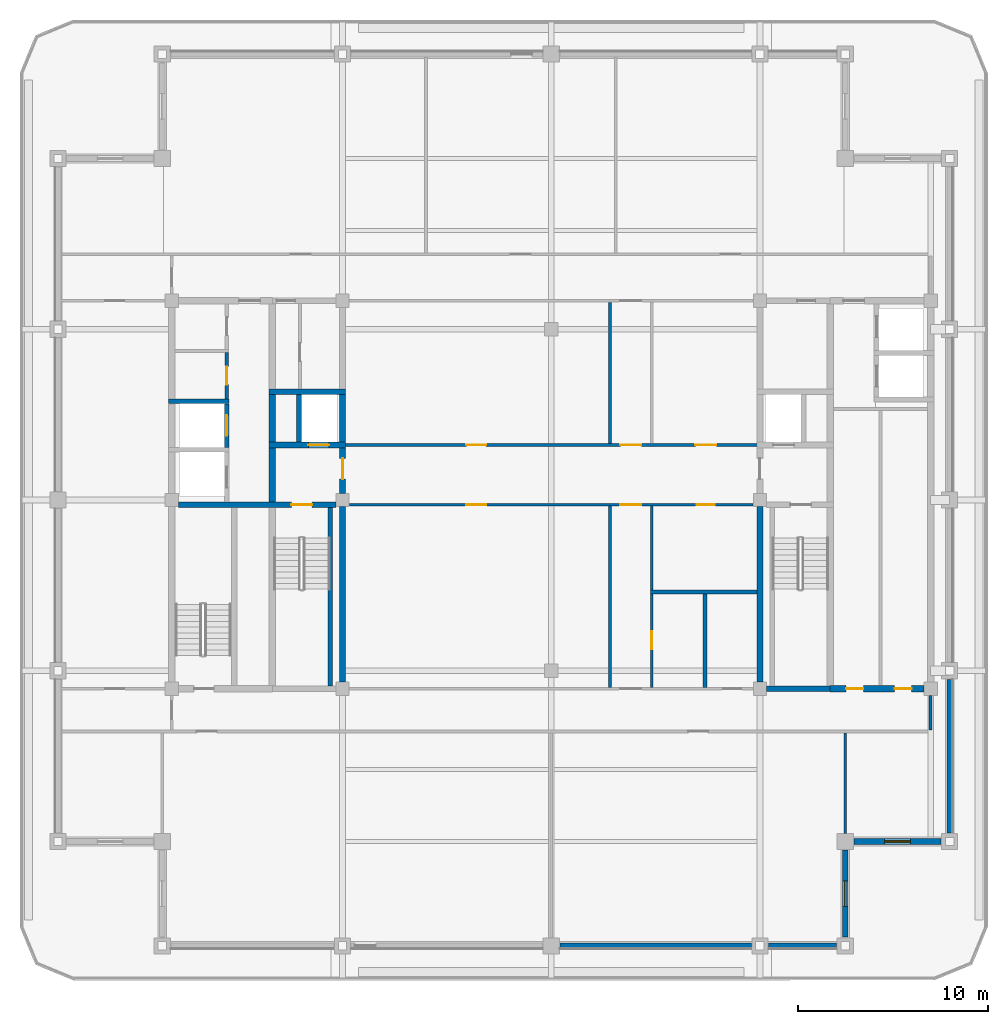
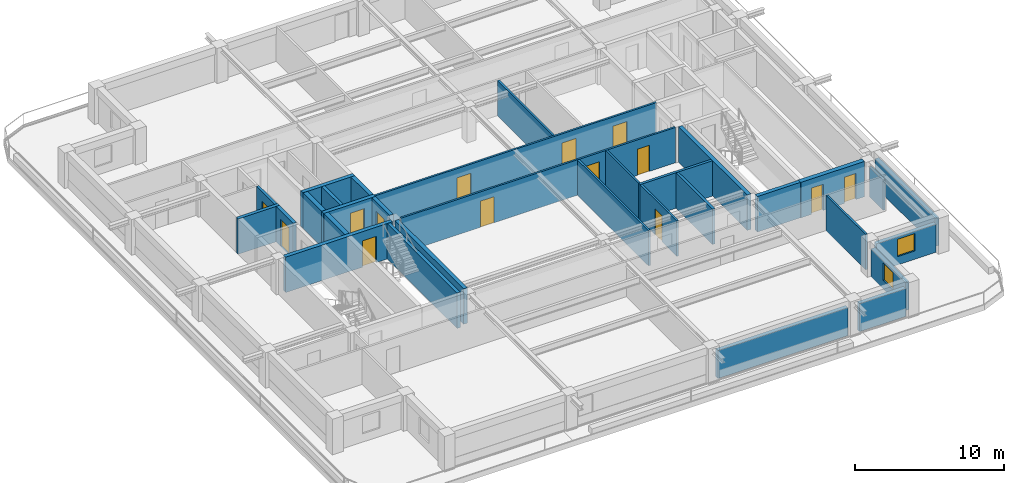
# One storey, part 3 of 10: 31 walls, 14 doors, 2 windows, 16 openings.
"""IFC4 building model written with IfcOpenShell, lengths in metres."""

from ifc_helpers import new_model, si_unit, direction, frame, frame_2d, origin, place, context, subcontext, project, spatial, rectangle, extrude, material, layer, layer_set, type_object, element, fill, save


model = new_model("IFC4")

# Units and contexts
model_context = context("Model", 3, precision=1e-05, world=origin(), true_north=direction((0.0, 1.0)))
body_context = subcontext(model_context, "Body", "Model", "MODEL_VIEW")
ifc_project = project(units=[si_unit("LENGTHUNIT", "METRE"), si_unit("AREAUNIT", "SQUARE_METRE"), si_unit("VOLUMEUNIT", "CUBIC_METRE"), si_unit("PLANEANGLEUNIT", "RADIAN"), si_unit("MASSUNIT", "GRAM", prefix="KILO")], contexts=[model_context])

# Site, building, storey
site_placement = place(None, origin())
site = spatial("IfcSite", under=ifc_project, at=site_placement, CompositionType="ELEMENT")
building_placement = place(site_placement, origin())
building = spatial("IfcBuilding", under=site, at=building_placement, Name="Zulmaris Gate Convention Tower", CompositionType="ELEMENT")
storey_placement = place(building_placement, frame((0.0, 0.0, 267.35009765625)))
storey = spatial("IfcBuildingStorey", under=building, at=storey_placement, Name="L71", CompositionType="ELEMENT", Elevation=267.35009765625)

# Wall
ifc_material_1 = material(Name="Concrete C50/60", Category="concrete")
ifc_layer_1 = layer(ifc_material_1, 0.25, Name="Concrete C50/60")
ifc_layer_set_1 = layer_set([ifc_layer_1], Name="Concrete C50/60")
wall_type_1 = type_object("IfcWallType", Name="CORE-250", PredefinedType="SOLIDWALL", material=ifc_layer_set_1)
wall_1_placement = place(storey_placement, frame((-20.175048828125, 5.199951171875, 0.0), z_axis=(0.0, 0.0, 1.0), x_axis=(1.0, 0.0, 0.0)))
element("IfcWall", 1, at=wall_1_placement, inside=storey, type_object=wall_type_1, Name="WL-L71-010", PredefinedType="SOLIDWALL", context=body_context, shape_type="SweptSolid", body=[
    extrude(rectangle(XDim=3.199951171875, YDim=0.25, at=frame_2d((1.60009765625, 0.0))), origin(), (0.0, 0.0, 1.0), 2.905029296875),
])

# Wall, opening, door
wall_2_placement = place(storey_placement, frame((-17.10009765625, 2.777099609375, 0.0), z_axis=(0.0, 0.0, 1.0), x_axis=(0.0, 1.0, 0.0)))
wall_2 = element("IfcWall", 2, at=wall_2_placement, inside=storey, type_object=wall_type_1, Name="WL-L71-035", PredefinedType="SOLIDWALL", context=body_context, shape_type="SweptSolid", body=[
    extrude(rectangle(XDim=2.2958984375, YDim=0.25, at=frame_2d((1.14794921875, 0.0))), origin(), (0.0, 0.0, 1.0), 2.905029296875),
])
opening_1_placement = place(wall_2_placement, frame((0.597900390625, 0.0, 0.0)))
opening_1 = element("IfcOpeningElement", 3, at=opening_1_placement, cuts=wall_2, Name="Opening D-06", PredefinedType="OPENING", context=body_context, shape_type="SweptSolid", body=[
    extrude(rectangle(XDim=1.10009765625, YDim=2.199951171875, at=frame_2d((0.550048828125, 1.10009765625))), frame((0.0, 0.135009765625, 0.0), z_axis=(0.0, -1.0, 0.0), x_axis=(1.0, 0.0, 0.0)), (0.0, 0.0, 1.0), 0.27001953125),
])
ifc_material_2 = material(Name="Brushed Stainless Steel", Category="steel")
door_type_1 = type_object("IfcDoorType", Name="LD-1100", OperationType="NOTDEFINED", PredefinedType="DOOR", material=ifc_material_2)
door_1_placement = place(opening_1_placement, origin())
door_1 = element("IfcDoor", 4, at=door_1_placement, inside=storey, type_object=door_type_1, Name="L71 Lift Landing Door HP-04 12", OperationType="SLIDING_TO_LEFT", OverallHeight=2.199951171875, OverallWidth=1.10009765625, PredefinedType="DOOR", context=body_context, shape_type="SweptSolid", body=[
    extrude(rectangle(XDim=1.10009765625, YDim=2.199951171875, at=frame_2d((0.550048828125, 1.10009765625))), frame((0.0, 0.02490234375, 0.0), z_axis=(0.0, -1.0, 0.0), x_axis=(1.0, 0.0, 0.0)), (0.0, 0.0, 1.0), 0.050048828125),
])
fill(opening_1, door_1)

# Walls
wall_3_placement = place(storey_placement, frame((-13.300048828125, 3.052001953125, 0.0), z_axis=(0.0, 0.0, 1.0), x_axis=(0.0, 1.0, 0.0)))
element("IfcWall", 5, at=wall_3_placement, inside=storey, type_object=wall_type_1, Name="WL-L71-041", PredefinedType="SOLIDWALL", context=body_context, shape_type="SweptSolid", body=[
    extrude(rectangle(XDim=2.49609375, YDim=0.25, at=frame_2d((1.248046875, 0.0))), origin(), (0.0, 0.0, 1.0), 2.905029296875),
])
wall_4_placement = place(storey_placement, frame((-11.64990234375, -9.798095703125, 0.0), z_axis=(0.0, 0.0, 1.0), x_axis=(0.0, 1.0, 0.0)))
element("IfcWall", 6, at=wall_4_placement, inside=storey, type_object=wall_type_1, Name="WL-L71-042", PredefinedType="SOLIDWALL", context=body_context, shape_type="SweptSolid", body=[
    extrude(rectangle(XDim=9.39599609375, YDim=0.25, at=frame_2d((4.697998046875, 0.0))), origin(), (0.0, 0.0, 1.0), 2.905029296875),
])
ifc_layer_2 = layer(ifc_material_1, 0.300048828125, Name="Concrete C50/60")
ifc_layer_set_2 = layer_set([ifc_layer_2], Name="Concrete C50/60")
wall_type_2 = type_object("IfcWallType", Name="CORE-300", PredefinedType="SHEAR", material=ifc_layer_set_2)
wall_5_placement = place(storey_placement, frame((11.35400390625, -9.949951171875, 0.0), z_axis=(0.0, 0.0, 1.0), x_axis=(1.0, 0.0, 0.0)))
element("IfcWall", 7, at=wall_5_placement, inside=storey, type_object=wall_type_2, Name="WL-L71-003", PredefinedType="SHEAR", context=body_context, shape_type="SweptSolid", body=[
    extrude(rectangle(XDim=3.345947265625, YDim=0.300048828125, at=frame_2d((1.6728515625, 0.0))), origin(), (0.0, 0.0, 1.0), 2.905029296875),
])

# Wall, opening, door
wall_6_placement = place(storey_placement, frame((-19.64599609375, -0.25, 0.0), z_axis=(0.0, 0.0, 1.0), x_axis=(1.0, 0.0, 0.0)))
wall_6 = element("IfcWall", 8, at=wall_6_placement, inside=storey, type_object=wall_type_2, Name="WL-L71-005", PredefinedType="SHEAR", context=body_context, shape_type="SweptSolid", body=[
    extrude(rectangle(XDim=8.2919921875, YDim=0.300048828125, at=frame_2d((4.14599609375, 0.0))), origin(), (0.0, 0.0, 1.0), 2.905029296875),
])
opening_2_placement = place(wall_6_placement, frame((5.946044921875, 0.0, 0.0)))
opening_2 = element("IfcOpeningElement", 9, at=opening_2_placement, cuts=wall_6, Name="Opening D-08", PredefinedType="OPENING", context=body_context, shape_type="SweptSolid", body=[
    extrude(rectangle(XDim=1.10009765625, YDim=2.14990234375, at=frame_2d((0.550048828125, 1.074951171875))), frame((0.0, 0.16015625, 0.0), z_axis=(0.0, -1.0, 0.0), x_axis=(1.0, 0.0, 0.0)), (0.0, 0.0, 1.0), 0.320068359375),
])
ifc_material_3 = material(Name="Fire-Rated Steel", Category="steel")
door_type_2 = type_object("IfcDoorType", Name="DR-1100-FD", OperationType="NOTDEFINED", PredefinedType="DOOR", material=ifc_material_3)
door_2_placement = place(opening_2_placement, origin())
door_2 = element("IfcDoor", 10, at=door_2_placement, inside=storey, type_object=door_type_2, Name="L71 Exit Stair ST-1 Door 01", OperationType="SINGLE_SWING_RIGHT", OverallHeight=2.14990234375, OverallWidth=1.10009765625, PredefinedType="DOOR", context=body_context, shape_type="SweptSolid", body=[
    extrude(rectangle(XDim=1.10009765625, YDim=2.14990234375, at=frame_2d((0.550048828125, 1.074951171875))), frame((0.0, 0.02490234375, 0.0), z_axis=(0.0, -1.0, 0.0), x_axis=(1.0, 0.0, 0.0)), (0.0, 0.0, 1.0), 0.050048828125),
])
fill(opening_2, door_2)

wall_7_placement = place(storey_placement, frame((-14.875, 2.89990234375, 0.0), z_axis=(0.0, 0.0, 1.0), x_axis=(1.0, 0.0, 0.0)))
wall_7 = element("IfcWall", 11, at=wall_7_placement, inside=storey, type_object=wall_type_2, Name="WL-L71-008", PredefinedType="SHEAR", context=body_context, shape_type="SweptSolid", body=[
    extrude(rectangle(XDim=4.02490234375, YDim=0.300048828125, at=frame_2d((2.012451171875, 0.0))), origin(), (0.0, 0.0, 1.0), 2.905029296875),
])
opening_3_placement = place(wall_7_placement, frame((2.074951171875, 0.0, 0.0)))
opening_3 = element("IfcOpeningElement", 12, at=opening_3_placement, cuts=wall_7, Name="Opening D-06", PredefinedType="OPENING", context=body_context, shape_type="SweptSolid", body=[
    extrude(rectangle(XDim=1.10009765625, YDim=2.199951171875, at=frame_2d((0.550048828125, 1.10009765625))), frame((0.0, 0.16015625, 0.0), z_axis=(0.0, -1.0, 0.0), x_axis=(1.0, 0.0, 0.0)), (0.0, 0.0, 1.0), 0.320068359375),
])
door_3_placement = place(opening_3_placement, origin())
door_3 = element("IfcDoor", 13, at=door_3_placement, inside=storey, type_object=door_type_1, Name="L71 Lift Landing Door LF-01 03", OperationType="SLIDING_TO_LEFT", OverallHeight=2.199951171875, OverallWidth=1.10009765625, PredefinedType="DOOR", context=body_context, shape_type="SweptSolid", body=[
    extrude(rectangle(XDim=1.10009765625, YDim=2.199951171875, at=frame_2d((0.550048828125, 1.10009765625))), frame((0.0, 0.02490234375, 0.0), z_axis=(0.0, -1.0, 0.0), x_axis=(1.0, 0.0, 0.0)), (0.0, 0.0, 1.0), 0.050048828125),
])
fill(opening_3, door_3)

# Walls
wall_8_placement = place(storey_placement, frame((-14.875, 5.699951171875, 0.0), z_axis=(0.0, 0.0, 1.0), x_axis=(1.0, 0.0, 0.0)))
element("IfcWall", 14, at=wall_8_placement, inside=storey, type_object=wall_type_2, Name="WL-L71-012", PredefinedType="SHEAR", context=body_context, shape_type="SweptSolid", body=[
    extrude(rectangle(XDim=4.02490234375, YDim=0.300048828125, at=frame_2d((2.012451171875, 0.0))), origin(), (0.0, 0.0, 1.0), 2.905029296875),
])
wall_9_placement = place(storey_placement, frame((-11.0, -9.595947265625, 0.0), z_axis=(0.0, 0.0, 1.0), x_axis=(0.0, 1.0, 0.0)))
element("IfcWall", 15, at=wall_9_placement, inside=storey, type_object=wall_type_2, Name="WL-L71-043", PredefinedType="SHEAR", context=body_context, shape_type="SweptSolid", body=[
    extrude(rectangle(XDim=9.241943359375, YDim=0.300048828125, at=frame_2d((4.62109375, 0.0))), origin(), (0.0, 0.0, 1.0), 2.905029296875),
])

# Wall, opening, door
wall_10_placement = place(storey_placement, frame((-11.0, 0.35400390625, 0.0), z_axis=(0.0, 0.0, 1.0), x_axis=(0.0, 1.0, 0.0)))
wall_10 = element("IfcWall", 16, at=wall_10_placement, inside=storey, type_object=wall_type_2, Name="WL-L71-044", PredefinedType="SHEAR", context=body_context, shape_type="SweptSolid", body=[
    extrude(rectangle(XDim=2.39404296875, YDim=0.300048828125, at=frame_2d((1.197021484375, 0.0))), origin(), (0.0, 0.0, 1.0), 2.905029296875),
])
opening_4_placement = place(wall_10_placement, frame((0.74609375, 0.0, 0.0)))
opening_4 = element("IfcOpeningElement", 17, at=opening_4_placement, cuts=wall_10, Name="Opening D-08", PredefinedType="OPENING", context=body_context, shape_type="SweptSolid", body=[
    extrude(rectangle(XDim=1.10009765625, YDim=2.14990234375, at=frame_2d((0.550048828125, 1.074951171875))), frame((0.0, 0.16015625, 0.0), z_axis=(0.0, -1.0, 0.0), x_axis=(1.0, 0.0, 0.0)), (0.0, 0.0, 1.0), 0.320068359375),
])
door_4_placement = place(opening_4_placement, origin())
door_4 = element("IfcDoor", 18, at=door_4_placement, inside=storey, type_object=door_type_2, Name="L71 West Firefighting Lobby Door 02", OperationType="SINGLE_SWING_LEFT", OverallHeight=2.14990234375, OverallWidth=1.10009765625, PredefinedType="DOOR", context=body_context, shape_type="SweptSolid", body=[
    extrude(rectangle(XDim=1.10009765625, YDim=2.14990234375, at=frame_2d((0.550048828125, 1.074951171875))), frame((0.0, 0.02490234375, 0.0), z_axis=(0.0, -1.0, 0.0), x_axis=(1.0, 0.0, 0.0)), (0.0, 0.0, 1.0), 0.050048828125),
])
fill(opening_4, door_4)

# Walls
wall_11_placement = place(storey_placement, frame((-11.0, 3.052001953125, 0.0), z_axis=(0.0, 0.0, 1.0), x_axis=(0.0, 1.0, 0.0)))
element("IfcWall", 19, at=wall_11_placement, inside=storey, type_object=wall_type_2, Name="WL-L71-045", PredefinedType="SHEAR", context=body_context, shape_type="SweptSolid", body=[
    extrude(rectangle(XDim=2.49609375, YDim=0.300048828125, at=frame_2d((1.248046875, 0.0))), origin(), (0.0, 0.0, 1.0), 2.905029296875),
])
wall_12_placement = place(storey_placement, frame((11.0, -9.595947265625, 0.0), z_axis=(0.0, 0.0, 1.0), x_axis=(0.0, 1.0, 0.0)))
element("IfcWall", 20, at=wall_12_placement, inside=storey, type_object=wall_type_2, Name="WL-L71-047", PredefinedType="SHEAR", context=body_context, shape_type="SweptSolid", body=[
    extrude(rectangle(XDim=9.241943359375, YDim=0.300048828125, at=frame_2d((4.62109375, 0.0))), origin(), (0.0, 0.0, 1.0), 2.905029296875),
])

# Wall, openings, doors
ifc_material_4 = material(Name="Concrete C55/67", Category="concrete")
ifc_layer_3 = layer(ifc_material_4, 0.35009765625, Name="Concrete C55/67")
ifc_layer_set_3 = layer_set([ifc_layer_3], Name="Concrete C55/67")
wall_type_3 = type_object("IfcWallType", Name="CORE-350", PredefinedType="SHEAR", material=ifc_layer_set_3)
wall_13_placement = place(storey_placement, frame((14.699951171875, -9.949951171875, 0.0), z_axis=(0.0, 0.0, 1.0), x_axis=(1.0, 0.0, 0.0)))
wall_13 = element("IfcWall", 21, at=wall_13_placement, inside=storey, type_object=wall_type_3, Name="WL-L71-004", PredefinedType="SHEAR", context=body_context, shape_type="SweptSolid", body=[
    extrude(rectangle(XDim=4.946044921875, YDim=0.35009765625, at=frame_2d((2.47314453125, 0.0))), origin(), (0.0, 0.0, 1.0), 2.905029296875),
])
opening_5_placement = place(wall_13_placement, frame((0.85009765625, 0.0, 0.0)))
opening_5 = element("IfcOpeningElement", 22, at=opening_5_placement, cuts=wall_13, Name="Opening D-12", PredefinedType="OPENING", context=body_context, shape_type="SweptSolid", body=[
    extrude(rectangle(XDim=0.89990234375, YDim=2.14990234375, at=frame_2d((0.449951171875, 1.074951171875))), frame((0.0, 0.18505859375, 0.0), z_axis=(0.0, -1.0, 0.0), x_axis=(1.0, 0.0, 0.0)), (0.0, 0.0, 1.0), 0.3701171875),
])
opening_6_placement = place(wall_13_placement, frame((3.39990234375, 0.0, 0.0)))
opening_6 = element("IfcOpeningElement", 23, at=opening_6_placement, cuts=wall_13, Name="Opening D-12", PredefinedType="OPENING", context=body_context, shape_type="SweptSolid", body=[
    extrude(rectangle(XDim=0.89990234375, YDim=2.14990234375, at=frame_2d((0.449951171875, 1.074951171875))), frame((0.0, 0.18505859375, 0.0), z_axis=(0.0, -1.0, 0.0), x_axis=(1.0, 0.0, 0.0)), (0.0, 0.0, 1.0), 0.3701171875),
])
ifc_material_5 = material(Name="Fire-Rated Timber", Category="wood")
door_type_3 = type_object("IfcDoorType", Name="DR-900-FD", OperationType="NOTDEFINED", PredefinedType="DOOR", material=ifc_material_5)
door_5_placement = place(opening_5_placement, origin())
door_5 = element("IfcDoor", 24, at=door_5_placement, inside=storey, type_object=door_type_3, Name="L71 Service Pantry Door 19", OperationType="SINGLE_SWING_RIGHT", OverallHeight=2.14990234375, OverallWidth=0.89990234375, PredefinedType="DOOR", context=body_context, shape_type="SweptSolid", body=[
    extrude(rectangle(XDim=0.89990234375, YDim=2.14990234375, at=frame_2d((0.449951171875, 1.074951171875))), frame((0.0, 0.02490234375, 0.0), z_axis=(0.0, -1.0, 0.0), x_axis=(1.0, 0.0, 0.0)), (0.0, 0.0, 1.0), 0.050048828125),
])
fill(opening_5, door_5)
door_6_placement = place(opening_6_placement, origin())
door_6 = element("IfcDoor", 25, at=door_6_placement, inside=storey, type_object=door_type_3, Name="L71 Linen Store Door 20", OperationType="SINGLE_SWING_LEFT", OverallHeight=2.14990234375, OverallWidth=0.89990234375, PredefinedType="DOOR", context=body_context, shape_type="SweptSolid", body=[
    extrude(rectangle(XDim=0.89990234375, YDim=2.14990234375, at=frame_2d((0.449951171875, 1.074951171875))), frame((0.0, 0.02490234375, 0.0), z_axis=(0.0, -1.0, 0.0), x_axis=(1.0, 0.0, 0.0)), (0.0, 0.0, 1.0), 0.050048828125),
])
fill(opening_6, door_6)

# Walls
wall_14_placement = place(storey_placement, frame((-14.699951171875, -0.097900390625, 0.0), z_axis=(0.0, 0.0, 1.0), x_axis=(0.0, 1.0, 0.0)))
element("IfcWall", 26, at=wall_14_placement, inside=storey, type_object=wall_type_3, Name="WL-L71-038", PredefinedType="SHEAR", context=body_context, shape_type="SweptSolid", body=[
    extrude(rectangle(XDim=2.845947265625, YDim=0.35009765625, at=frame_2d((1.4228515625, 0.0))), origin(), (0.0, 0.0, 1.0), 2.905029296875),
])
wall_15_placement = place(storey_placement, frame((-14.699951171875, 3.052001953125, 0.0), z_axis=(0.0, 0.0, 1.0), x_axis=(0.0, 1.0, 0.0)))
element("IfcWall", 27, at=wall_15_placement, inside=storey, type_object=wall_type_3, Name="WL-L71-039", PredefinedType="SHEAR", context=body_context, shape_type="SweptSolid", body=[
    extrude(rectangle(XDim=2.49609375, YDim=0.35009765625, at=frame_2d((1.248046875, 0.0))), origin(), (0.0, 0.0, 1.0), 2.905029296875),
])

# Wall, openings, doors
ifc_material_6 = material(Name="Gypsum Metal Stud Partition")
ifc_layer_4 = layer(ifc_material_6, 0.14990234375, Name="Gypsum Metal Stud Partition")
ifc_layer_set_4 = layer_set([ifc_layer_4], Name="Gypsum Metal Stud Partition")
wall_type_4 = type_object("IfcWallType", Name="PART-150", PredefinedType="PARTITIONING", material=ifc_layer_set_4)
wall_16_placement = place(storey_placement, frame((-10.64404296875, -0.25, 0.0), z_axis=(0.0, 0.0, 1.0), x_axis=(1.0, 0.0, 0.0)))
wall_16 = element("IfcWall", 28, at=wall_16_placement, inside=storey, type_object=wall_type_4, Name="WL-L71-023", PredefinedType="PARTITIONING", context=body_context, shape_type="SweptSolid", body=[
    extrude(rectangle(XDim=21.2880859375, YDim=0.14990234375, at=frame_2d((10.64404296875, 0.0))), origin(), (0.0, 0.0, 1.0), 2.905029296875),
])
opening_7_placement = place(wall_16_placement, frame((14.2939453125, 0.0, 0.0)))
opening_7 = element("IfcOpeningElement", 29, at=opening_7_placement, cuts=wall_16, Name="Opening D-08", PredefinedType="OPENING", context=body_context, shape_type="SweptSolid", body=[
    extrude(rectangle(XDim=1.10009765625, YDim=2.14990234375, at=frame_2d((0.550048828125, 1.074951171875))), frame((0.0, 0.0849609375, 0.0), z_axis=(0.0, -1.0, 0.0), x_axis=(1.0, 0.0, 0.0)), (0.0, 0.0, 1.0), 0.169921875),
])
opening_8_placement = place(wall_16_placement, frame((6.1689453125, 0.0, 0.0)))
opening_8 = element("IfcOpeningElement", 30, at=opening_8_placement, cuts=wall_16, Name="Opening D-09", PredefinedType="OPENING", context=body_context, shape_type="SweptSolid", body=[
    extrude(rectangle(XDim=1.050048828125, YDim=2.14990234375, at=frame_2d((0.52490234375, 1.074951171875))), frame((0.0, 0.0849609375, 0.0), z_axis=(0.0, -1.0, 0.0), x_axis=(1.0, 0.0, 0.0)), (0.0, 0.0, 1.0), 0.169921875),
])
opening_9_placement = place(wall_16_placement, frame((18.319091796875, 0.0, 0.0)))
opening_9 = element("IfcOpeningElement", 31, at=opening_9_placement, cuts=wall_16, Name="Opening D-11", PredefinedType="OPENING", context=body_context, shape_type="SweptSolid", body=[
    extrude(rectangle(XDim=0.949951171875, YDim=2.14990234375, at=frame_2d((0.47509765625, 1.074951171875))), frame((0.0, 0.0849609375, 0.0), z_axis=(0.0, -1.0, 0.0), x_axis=(1.0, 0.0, 0.0)), (0.0, 0.0, 1.0), 0.169921875),
])
door_type_4 = type_object("IfcDoorType", Name="DR-1050-FD", OperationType="NOTDEFINED", PredefinedType="DOOR", material=ifc_material_3)
door_7_placement = place(opening_8_placement, origin())
door_7 = element("IfcDoor", 32, at=door_7_placement, inside=storey, type_object=door_type_4, Name="L71 Sky Library Door 32", OperationType="SINGLE_SWING_LEFT", OverallHeight=2.14990234375, OverallWidth=1.050048828125, PredefinedType="DOOR", context=body_context, shape_type="SweptSolid", body=[
    extrude(rectangle(XDim=1.050048828125, YDim=2.14990234375, at=frame_2d((0.52490234375, 1.074951171875))), frame((0.0, 0.02490234375, 0.0), z_axis=(0.0, -1.0, 0.0), x_axis=(1.0, 0.0, 0.0)), (0.0, 0.0, 1.0), 0.050048828125),
])
fill(opening_8, door_7)
door_8_placement = place(opening_7_placement, origin())
door_8 = element("IfcDoor", 33, at=door_8_placement, inside=storey, type_object=door_type_2, Name="L71 Exec Cross South Door 24", OperationType="SINGLE_SWING_LEFT", OverallHeight=2.14990234375, OverallWidth=1.10009765625, PredefinedType="DOOR", context=body_context, shape_type="SweptSolid", body=[
    extrude(rectangle(XDim=1.10009765625, YDim=2.14990234375, at=frame_2d((0.550048828125, 1.074951171875))), frame((0.0, 0.02490234375, 0.0), z_axis=(0.0, -1.0, 0.0), x_axis=(1.0, 0.0, 0.0)), (0.0, 0.0, 1.0), 0.050048828125),
])
fill(opening_7, door_8)
door_type_5 = type_object("IfcDoorType", Name="DR-950-FD", OperationType="NOTDEFINED", PredefinedType="DOOR", material=ifc_material_5)
door_9_placement = place(opening_9_placement, origin())
door_9 = element("IfcDoor", 34, at=door_9_placement, inside=storey, type_object=door_type_5, Name="L71 Public WC Door 33", OperationType="SINGLE_SWING_RIGHT", OverallHeight=2.14990234375, OverallWidth=0.949951171875, PredefinedType="DOOR", context=body_context, shape_type="SweptSolid", body=[
    extrude(rectangle(XDim=0.949951171875, YDim=2.14990234375, at=frame_2d((0.47509765625, 1.074951171875))), frame((0.0, 0.02490234375, 0.0), z_axis=(0.0, -1.0, 0.0), x_axis=(1.0, 0.0, 0.0)), (0.0, 0.0, 1.0), 0.050048828125),
])
fill(opening_9, door_9)

wall_17_placement = place(storey_placement, frame((-11.0, 2.89990234375, 0.0), z_axis=(0.0, 0.0, 1.0), x_axis=(1.0, 0.0, 0.0)))
wall_17 = element("IfcWall", 35, at=wall_17_placement, inside=storey, type_object=wall_type_4, Name="WL-L71-024", PredefinedType="PARTITIONING", context=body_context, shape_type="SweptSolid", body=[
    extrude(rectangle(XDim=22.0, YDim=0.14990234375, at=frame_2d((11.0, 0.0))), origin(), (0.0, 0.0, 1.0), 2.905029296875),
])
opening_10_placement = place(wall_17_placement, frame((14.64990234375, 0.0, 0.0)))
opening_10 = element("IfcOpeningElement", 36, at=opening_10_placement, cuts=wall_17, Name="Opening D-08", PredefinedType="OPENING", context=body_context, shape_type="SweptSolid", body=[
    extrude(rectangle(XDim=1.10009765625, YDim=2.14990234375, at=frame_2d((0.550048828125, 1.074951171875))), frame((0.0, 0.0849609375, 0.0), z_axis=(0.0, -1.0, 0.0), x_axis=(1.0, 0.0, 0.0)), (0.0, 0.0, 1.0), 0.169921875),
])
opening_11_placement = place(wall_17_placement, frame((6.52490234375, 0.0, 0.0)))
opening_11 = element("IfcOpeningElement", 37, at=opening_11_placement, cuts=wall_17, Name="Opening D-09", PredefinedType="OPENING", context=body_context, shape_type="SweptSolid", body=[
    extrude(rectangle(XDim=1.050048828125, YDim=2.14990234375, at=frame_2d((0.52490234375, 1.074951171875))), frame((0.0, 0.0849609375, 0.0), z_axis=(0.0, -1.0, 0.0), x_axis=(1.0, 0.0, 0.0)), (0.0, 0.0, 1.0), 0.169921875),
])
opening_12_placement = place(wall_17_placement, frame((18.60009765625, 0.0, 0.0)))
opening_12 = element("IfcOpeningElement", 38, at=opening_12_placement, cuts=wall_17, Name="Opening D-08", PredefinedType="OPENING", context=body_context, shape_type="SweptSolid", body=[
    extrude(rectangle(XDim=1.10009765625, YDim=2.14990234375, at=frame_2d((0.550048828125, 1.074951171875))), frame((0.0, 0.0849609375, 0.0), z_axis=(0.0, -1.0, 0.0), x_axis=(1.0, 0.0, 0.0)), (0.0, 0.0, 1.0), 0.169921875),
])
door_10_placement = place(opening_11_placement, origin())
door_10 = element("IfcDoor", 39, at=door_10_placement, inside=storey, type_object=door_type_4, Name="L71 Reception Door 30", OperationType="SINGLE_SWING_LEFT", OverallHeight=2.14990234375, OverallWidth=1.050048828125, PredefinedType="DOOR", context=body_context, shape_type="SweptSolid", body=[
    extrude(rectangle(XDim=1.050048828125, YDim=2.14990234375, at=frame_2d((0.52490234375, 1.074951171875))), frame((0.0, 0.02490234375, 0.0), z_axis=(0.0, -1.0, 0.0), x_axis=(1.0, 0.0, 0.0)), (0.0, 0.0, 1.0), 0.050048828125),
])
fill(opening_11, door_10)
door_11_placement = place(opening_10_placement, origin())
door_11 = element("IfcDoor", 40, at=door_11_placement, inside=storey, type_object=door_type_2, Name="L71 Exec Cross North Door 23", OperationType="SINGLE_SWING_RIGHT", OverallHeight=2.14990234375, OverallWidth=1.10009765625, PredefinedType="DOOR", context=body_context, shape_type="SweptSolid", body=[
    extrude(rectangle(XDim=1.10009765625, YDim=2.14990234375, at=frame_2d((0.550048828125, 1.074951171875))), frame((0.0, 0.02490234375, 0.0), z_axis=(0.0, -1.0, 0.0), x_axis=(1.0, 0.0, 0.0)), (0.0, 0.0, 1.0), 0.050048828125),
])
fill(opening_10, door_11)
door_12_placement = place(opening_12_placement, origin())
door_12 = element("IfcDoor", 41, at=door_12_placement, inside=storey, type_object=door_type_2, Name="L71 Townhall Forum Door 31", OperationType="SINGLE_SWING_RIGHT", OverallHeight=2.14990234375, OverallWidth=1.10009765625, PredefinedType="DOOR", context=body_context, shape_type="SweptSolid", body=[
    extrude(rectangle(XDim=1.10009765625, YDim=2.14990234375, at=frame_2d((0.550048828125, 1.074951171875))), frame((0.0, 0.02490234375, 0.0), z_axis=(0.0, -1.0, 0.0), x_axis=(1.0, 0.0, 0.0)), (0.0, 0.0, 1.0), 0.050048828125),
])
fill(opening_12, door_12)

# Walls
wall_18_placement = place(storey_placement, frame((3.10009765625, -9.8720703125, 0.0), z_axis=(0.0, 0.0, 1.0), x_axis=(0.0, 1.0, 0.0)))
element("IfcWall", 42, at=wall_18_placement, inside=storey, type_object=wall_type_4, Name="WL-L71-070", PredefinedType="PARTITIONING", context=body_context, shape_type="SweptSolid", body=[
    extrude(rectangle(XDim=9.544189453125, YDim=0.14990234375, at=frame_2d((4.77197265625, 0.0))), origin(), (0.0, 0.0, 1.0), 2.905029296875),
])
wall_19_placement = place(storey_placement, frame((3.10009765625, 2.97802734375, 0.0), z_axis=(0.0, 0.0, 1.0), x_axis=(0.0, 1.0, 0.0)))
element("IfcWall", 43, at=wall_19_placement, inside=storey, type_object=wall_type_4, Name="WL-L71-071", PredefinedType="PARTITIONING", context=body_context, shape_type="SweptSolid", body=[
    extrude(rectangle(XDim=7.444091796875, YDim=0.14990234375, at=frame_2d((3.72216796875, 0.0))), origin(), (0.0, 0.0, 1.0), 2.905029296875),
])

# Wall, opening, door
wall_20_placement = place(storey_placement, frame((5.300048828125, -9.8720703125, 0.0), z_axis=(0.0, 0.0, 1.0), x_axis=(0.0, 1.0, 0.0)))
wall_20 = element("IfcWall", 44, at=wall_20_placement, inside=storey, type_object=wall_type_4, Name="WL-L71-073", PredefinedType="PARTITIONING", context=body_context, shape_type="SweptSolid", body=[
    extrude(rectangle(XDim=4.919189453125, YDim=0.14990234375, at=frame_2d((2.45947265625, 0.0))), origin(), (0.0, 0.0, 1.0), 2.905029296875),
])
opening_13_placement = place(wall_20_placement, frame((1.9970703125, 0.0, 0.0)))
opening_13 = element("IfcOpeningElement", 45, at=opening_13_placement, cuts=wall_20, Name="Opening D-11", PredefinedType="OPENING", context=body_context, shape_type="SweptSolid", body=[
    extrude(rectangle(XDim=0.949951171875, YDim=2.14990234375, at=frame_2d((0.47509765625, 1.074951171875))), frame((0.0, 0.0849609375, 0.0), z_axis=(0.0, -1.0, 0.0), x_axis=(1.0, 0.0, 0.0)), (0.0, 0.0, 1.0), 0.169921875),
])
door_13_placement = place(opening_13_placement, origin())
door_13 = element("IfcDoor", 46, at=door_13_placement, inside=storey, type_object=door_type_5, Name="L71 Accessible WC Door 34", OperationType="SINGLE_SWING_LEFT", OverallHeight=2.14990234375, OverallWidth=0.949951171875, PredefinedType="DOOR", context=body_context, shape_type="SweptSolid", body=[
    extrude(rectangle(XDim=0.949951171875, YDim=2.14990234375, at=frame_2d((0.47509765625, 1.074951171875))), frame((0.0, 0.02490234375, 0.0), z_axis=(0.0, -1.0, 0.0), x_axis=(1.0, 0.0, 0.0)), (0.0, 0.0, 1.0), 0.050048828125),
])
fill(opening_13, door_13)

# Walls
wall_21_placement = place(storey_placement, frame((5.300048828125, -4.7470703125, 0.0), z_axis=(0.0, 0.0, 1.0), x_axis=(0.0, 1.0, 0.0)))
element("IfcWall", 47, at=wall_21_placement, inside=storey, type_object=wall_type_4, Name="WL-L71-074", PredefinedType="PARTITIONING", context=body_context, shape_type="SweptSolid", body=[
    extrude(rectangle(XDim=4.419189453125, YDim=0.14990234375, at=frame_2d((2.20947265625, 0.0))), origin(), (0.0, 0.0, 1.0), 2.905029296875),
])
wall_22_placement = place(storey_placement, frame((15.5, -17.569091796875, 0.0), z_axis=(0.0, 0.0, 1.0), x_axis=(0.0, 1.0, 0.0)))
element("IfcWall", 48, at=wall_22_placement, inside=storey, type_object=wall_type_4, Name="WL-L71-077", PredefinedType="PARTITIONING", context=body_context, shape_type="SweptSolid", body=[
    extrude(rectangle(XDim=5.291015625, YDim=0.14990234375, at=frame_2d((2.6455078125, 0.0))), origin(), (0.0, 0.0, 1.0), 2.905029296875),
])
wall_23_placement = place(storey_placement, frame((20.0, -12.1220703125, 0.0), z_axis=(0.0, 0.0, 1.0), x_axis=(0.0, 1.0, 0.0)))
element("IfcWall", 49, at=wall_23_placement, inside=storey, type_object=wall_type_4, Name="WL-L71-079", PredefinedType="PARTITIONING", context=body_context, shape_type="SweptSolid", body=[
    extrude(rectangle(XDim=1.816162109375, YDim=0.14990234375, at=frame_2d((0.908203125, 0.0))), origin(), (0.0, 0.0, 1.0), 2.4951171875),
])
ifc_material_7 = material(Name="Autoclaved Aerated Concrete Block and Plasterboard", Category="concrete")
ifc_layer_5 = layer(ifc_material_7, 0.199951171875, Name="Autoclaved Aerated Concrete Block and Plasterboard")
ifc_layer_set_5 = layer_set([ifc_layer_5], Name="Autoclaved Aerated Concrete Block and Plasterboard")
wall_type_5 = type_object("IfcWallType", Name="PART-200", PredefinedType="PARTITIONING", material=ifc_layer_set_5)
wall_24_placement = place(storey_placement, frame((5.22509765625, -4.85009765625, 0.0), z_axis=(0.0, 0.0, 1.0), x_axis=(1.0, 0.0, 0.0)))
element("IfcWall", 50, at=wall_24_placement, inside=storey, type_object=wall_type_5, Name="WL-L71-022", PredefinedType="PARTITIONING", context=body_context, shape_type="SweptSolid", body=[
    extrude(rectangle(XDim=5.621826171875, YDim=0.199951171875, at=frame_2d((2.81103515625, 0.0))), origin(), (0.0, 0.0, 1.0), 2.905029296875),
])

# Wall, opening, door
wall_25_placement = place(storey_placement, frame((-17.10009765625, 5.327880859375, 0.0), z_axis=(0.0, 0.0, 1.0), x_axis=(0.0, 1.0, 0.0)))
wall_25 = element("IfcWall", 51, at=wall_25_placement, inside=storey, type_object=wall_type_5, Name="WL-L71-065", PredefinedType="PARTITIONING", context=body_context, shape_type="SweptSolid", body=[
    extrude(rectangle(XDim=2.444091796875, YDim=0.199951171875, at=frame_2d((1.22216796875, 0.0))), origin(), (0.0, 0.0, 1.0), 2.905029296875),
])
opening_14_placement = place(wall_25_placement, frame((0.7470703125, 0.0, 0.0)))
opening_14 = element("IfcOpeningElement", 52, at=opening_14_placement, cuts=wall_25, Name="Opening D-11", PredefinedType="OPENING", context=body_context, shape_type="SweptSolid", body=[
    extrude(rectangle(XDim=0.949951171875, YDim=2.14990234375, at=frame_2d((0.47509765625, 1.074951171875))), frame((0.0, 0.10986328125, 0.0), z_axis=(0.0, -1.0, 0.0), x_axis=(1.0, 0.0, 0.0)), (0.0, 0.0, 1.0), 0.219970703125),
])
door_14_placement = place(opening_14_placement, origin())
door_14 = element("IfcDoor", 53, at=door_14_placement, inside=storey, type_object=door_type_5, Name="L71 Valet Closet Door 15", OperationType="SINGLE_SWING_RIGHT", OverallHeight=2.14990234375, OverallWidth=0.949951171875, PredefinedType="DOOR", context=body_context, shape_type="SweptSolid", body=[
    extrude(rectangle(XDim=0.949951171875, YDim=2.14990234375, at=frame_2d((0.47509765625, 1.074951171875))), frame((0.0, 0.02490234375, 0.0), z_axis=(0.0, -1.0, 0.0), x_axis=(1.0, 0.0, 0.0)), (0.0, 0.0, 1.0), 0.050048828125),
])
fill(opening_14, door_14)

# Wall
wall_26_placement = place(storey_placement, frame((8.10009765625, -9.8720703125, 0.0), z_axis=(0.0, 0.0, 1.0), x_axis=(0.0, 1.0, 0.0)))
element("IfcWall", 54, at=wall_26_placement, inside=storey, type_object=wall_type_5, Name="WL-L71-076", PredefinedType="PARTITIONING", context=body_context, shape_type="SweptSolid", body=[
    extrude(rectangle(XDim=4.919189453125, YDim=0.199951171875, at=frame_2d((2.45947265625, 0.0))), origin(), (0.0, 0.0, 1.0), 2.905029296875),
])

# Wall, opening, window
ifc_material_8 = material(Name="Precast concrete C40/50", Category="concrete")
ifc_layer_6 = layer(ifc_material_8, 0.300048828125, Name="Precast concrete C40/50")
ifc_layer_set_6 = layer_set([ifc_layer_6], Name="Precast concrete C40/50")
wall_type_6 = type_object("IfcWallType", Name="PRECAST-PIER-300", PredefinedType="STANDARD", material=ifc_layer_set_6)
wall_27_placement = place(storey_placement, frame((15.5, -23.044921875, 0.0), z_axis=(0.0, 0.0, 1.0), x_axis=(0.0, 1.0, 0.0)))
wall_27 = element("IfcWall", 55, at=wall_27_placement, inside=storey, type_object=wall_type_6, Name="EW-L71-NOTCH-SE1_0", PredefinedType="STANDARD", context=body_context, shape_type="SweptSolid", body=[
    extrude(rectangle(XDim=4.58984375, YDim=0.300048828125, at=frame_2d((2.294921875, 0.0))), origin(), (0.0, 0.0, 1.0), 2.297119140625),
])
opening_15_placement = place(wall_27_placement, frame((1.6201171875, 0.0, 0.679931640625)))
opening_15 = element("IfcOpeningElement", 56, at=opening_15_placement, cuts=wall_27, Name="Opening W-10", PredefinedType="OPENING", context=body_context, shape_type="SweptSolid", body=[
    extrude(rectangle(XDim=1.35009765625, YDim=1.419921875, at=frame_2d((0.675048828125, 0.7099609375))), frame((0.0, 0.16015625, 0.0), z_axis=(0.0, -1.0, 0.0), x_axis=(1.0, 0.0, 0.0)), (0.0, 0.0, 1.0), 0.320068359375),
])
ifc_material_9 = material(Name="Low-E Laminated Double Glazing in Aluminium Frame", Category="aluminium")
window_type = type_object("IfcWindowType", Name="WIN-1350x2000", PartitioningType="SINGLE_PANEL", PredefinedType="WINDOW", material=ifc_material_9)
window_1_placement = place(opening_15_placement, origin())
window_1 = element("IfcWindow", 57, at=window_1_placement, inside=storey, type_object=window_type, Name="WN-EW-L71-NOTCH-SE1_0", OverallHeight=1.419921875, OverallWidth=1.35009765625, PartitioningType="SINGLE_PANEL", PredefinedType="WINDOW", context=body_context, shape_type="SweptSolid", body=[
    extrude(rectangle(XDim=1.35009765625, YDim=1.419921875, at=frame_2d((0.675048828125, 0.7099609375))), frame((0.0, 0.030029296875, 0.0), z_axis=(0.0, -1.0, 0.0), x_axis=(1.0, 0.0, 0.0)), (0.0, 0.0, 1.0), 0.06005859375),
])
fill(opening_15, window_1)

wall_28_placement = place(storey_placement, frame((15.955078125, -18.0, 0.0), z_axis=(0.0, 0.0, 1.0), x_axis=(1.0, 0.0, 0.0)))
wall_28 = element("IfcWall", 58, at=wall_28_placement, inside=storey, type_object=wall_type_6, Name="EW-L71-NOTCH-SE2_0", PredefinedType="STANDARD", context=body_context, shape_type="SweptSolid", body=[
    extrude(rectangle(XDim=4.58984375, YDim=0.300048828125, at=frame_2d((2.294921875, 0.0))), origin(), (0.0, 0.0, 1.0), 2.297119140625),
])
opening_16_placement = place(wall_28_placement, frame((1.6201171875, 0.0, 0.679931640625)))
opening_16 = element("IfcOpeningElement", 59, at=opening_16_placement, cuts=wall_28, Name="Opening W-10", PredefinedType="OPENING", context=body_context, shape_type="SweptSolid", body=[
    extrude(rectangle(XDim=1.35009765625, YDim=1.419921875, at=frame_2d((0.675048828125, 0.7099609375))), frame((0.0, 0.16015625, 0.0), z_axis=(0.0, -1.0, 0.0), x_axis=(1.0, 0.0, 0.0)), (0.0, 0.0, 1.0), 0.320068359375),
])
window_2_placement = place(opening_16_placement, origin())
window_2 = element("IfcWindow", 60, at=window_2_placement, inside=storey, type_object=window_type, Name="WN-EW-L71-NOTCH-SE2_0", OverallHeight=1.419921875, OverallWidth=1.35009765625, PartitioningType="SINGLE_PANEL", PredefinedType="WINDOW", context=body_context, shape_type="SweptSolid", body=[
    extrude(rectangle(XDim=1.35009765625, YDim=1.419921875, at=frame_2d((0.675048828125, 0.7099609375))), frame((0.0, 0.030029296875, 0.0), z_axis=(0.0, -1.0, 0.0), x_axis=(1.0, 0.0, 0.0)), (0.0, 0.0, 1.0), 0.06005859375),
])
fill(opening_16, window_2)

# Walls
wall_29_placement = place(storey_placement, frame((0.455078125, -23.5, 0.0), z_axis=(0.0, 0.0, 1.0), x_axis=(1.0, 0.0, 0.0)))
element("IfcWall", 61, at=wall_29_placement, inside=storey, type_object=wall_type_6, Name="EW-L71-S-2_0", PredefinedType="STANDARD", context=body_context, shape_type="SweptSolid", body=[
    extrude(rectangle(XDim=10.08984375, YDim=0.300048828125, at=frame_2d((5.044921875, 0.0))), origin(), (0.0, 0.0, 1.0), 2.297119140625),
])
wall_30_placement = place(storey_placement, frame((11.455078125, -23.5, 0.0), z_axis=(0.0, 0.0, 1.0), x_axis=(1.0, 0.0, 0.0)))
element("IfcWall", 62, at=wall_30_placement, inside=storey, type_object=wall_type_6, Name="EW-L71-S-3_0", PredefinedType="STANDARD", context=body_context, shape_type="SweptSolid", body=[
    extrude(rectangle(XDim=3.58984375, YDim=0.300048828125, at=frame_2d((1.794921875, 0.0))), origin(), (0.0, 0.0, 1.0), 2.297119140625),
])
wall_31_placement = place(storey_placement, frame((21.0, -17.544921875, 0.0), z_axis=(0.0, 0.0, 1.0), x_axis=(0.0, 1.0, 0.0)))
element("IfcWall", 63, at=wall_31_placement, inside=storey, type_object=wall_type_6, Name="EW-L71-E-0_0", PredefinedType="STANDARD", context=body_context, shape_type="SweptSolid", body=[
    extrude(rectangle(XDim=8.08984375, YDim=0.300048828125, at=frame_2d((4.044921875, 0.0))), origin(), (0.0, 0.0, 1.0), 2.297119140625),
])

save(model, "model.ifc")
